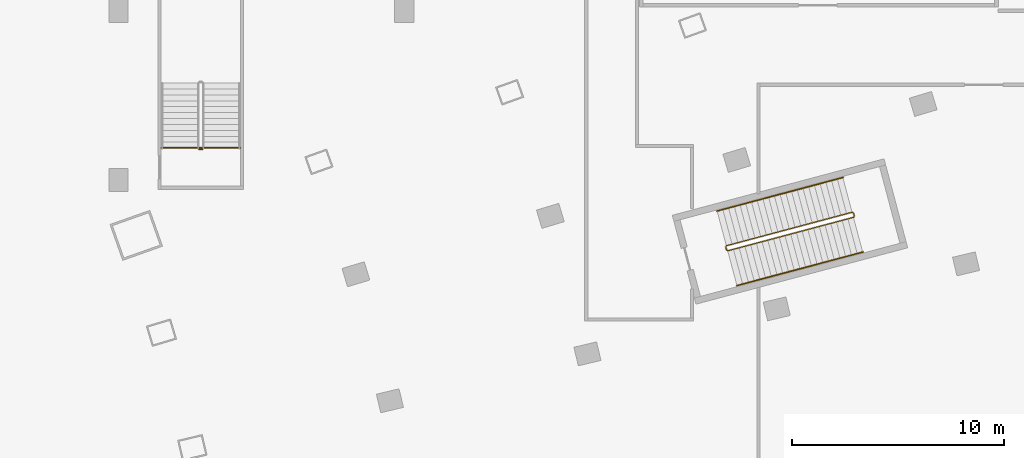
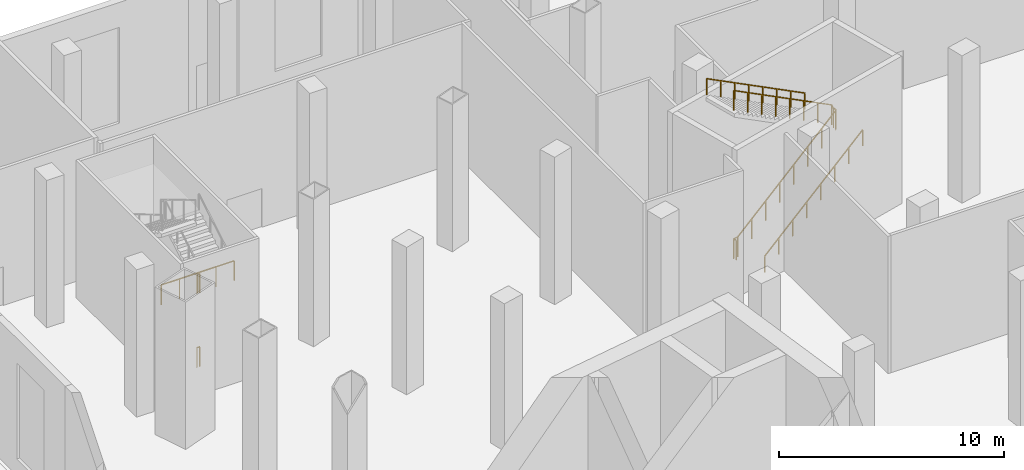
# One storey, part 29 of 33: 6 railings.
"""IFC4 building model written with IfcOpenShell, lengths in metres."""

from ifc_helpers import new_model, si_unit, direction, frame, origin, origin_2d, place, context, subcontext, project, spatial, rectangle, extrude, material, type_object, element, save


model = new_model("IFC4")

# Units and contexts
model_context = context("Model", 3, precision=1e-05, world=origin(), true_north=direction((0.0, 1.0)))
body_context = subcontext(model_context, "Body", "Model", "MODEL_VIEW")
ifc_project = project(units=[si_unit("LENGTHUNIT", "METRE"), si_unit("AREAUNIT", "SQUARE_METRE"), si_unit("VOLUMEUNIT", "CUBIC_METRE"), si_unit("PLANEANGLEUNIT", "RADIAN"), si_unit("MASSUNIT", "GRAM", prefix="KILO")], contexts=[model_context])

# Site, building, storey
site_placement = place(None, origin())
site = spatial("IfcSite", under=ifc_project, at=site_placement, CompositionType="ELEMENT")
building_placement = place(site_placement, origin())
building = spatial("IfcBuilding", under=site, at=building_placement, Name="Alderwake Tower", CompositionType="ELEMENT")
storey_placement = place(building_placement, origin())
storey = spatial("IfcBuildingStorey", under=building, at=storey_placement, Name="L00", CompositionType="ELEMENT", Elevation=0.0)

# Railings
ifc_material_1 = material(Name="Stainless steel guard", Category="steel")
railing_type_1 = type_object("IfcRailingType", Name="Stair guard 1100", PredefinedType="GUARDRAIL", material=ifc_material_1)
railing_1_placement = place(storey_placement, frame((39.23291015625, 92.6806640625, 0.0)))
element("IfcRailing", 1, at=railing_1_placement, inside=storey, type_object=railing_type_1, Name="L00 ST-A stair guard 1", PredefinedType="GUARDRAIL", context=body_context, shape_type="SweptSolid", body=[
    extrude(rectangle(XDim=0.048095703125, YDim=0.048095703125, at=origin_2d()), frame((0.0, 0.0, 1.076171875), z_axis=(-0.257055032184, 0.966396766566, 0.0), x_axis=(-0.966396766566, -0.257055032184, 0.0)), (0.0, 0.0, 1.0), 0.150146484375),
    extrude(rectangle(XDim=0.048095703125, YDim=0.048095703125, at=origin_2d()), frame((-0.03857421875, 0.14501953125, 1.076171875), z_axis=(0.370238703974, -0.668964308647, 0.64452312281), x_axis=(0.874937996095, 0.484234966715, 0.0)), (0.0, 0.0, 1.0), 0.269775390625),
    extrude(rectangle(XDim=0.048095703125, YDim=0.048095703125, at=origin_2d()), frame((0.061279296875, -0.035400390625, 1.25), z_axis=(0.820850103471, 0.218637487057, 0.52763885081), x_axis=(-0.257381421089, 0.966309890293, 0.0)), (0.0, 0.0, 1.0), 7.25146484375),
    extrude(rectangle(XDim=0.048095703125, YDim=0.048095703125, at=origin_2d()), frame((6.013671875, 1.550048828125, 5.076171875), z_axis=(0.500220121494, 0.865898279276, 0.0), x_axis=(-0.865898279276, 0.500220121494, 0.0)), (0.0, 0.0, 1.0), 0.07080078125),
    extrude(rectangle(XDim=0.048095703125, YDim=0.048095703125, at=origin_2d()), frame((6.049072265625, 1.611328125, 5.076171875), z_axis=(-0.257055032184, 0.966396766566, 0.0), x_axis=(-0.966396766566, -0.257055032184, 0.0)), (0.0, 0.0, 1.0), 0.150146484375),
    extrude(rectangle(XDim=0.048095703125, YDim=0.048095703125, at=origin_2d()), frame((6.010498046875, 1.75634765625, 5.076171875), z_axis=(-0.325342993085, 0.18869893599, 0.926576844307), x_axis=(-0.501718089772, -0.865031189262, 0.0)), (0.0, 0.0, 1.0), 0.1875),
    extrude(rectangle(XDim=0.048095703125, YDim=0.048095703125, at=origin_2d()), frame((5.949462890625, 1.791748046875, 5.25), z_axis=(-0.820861085564, -0.218631444904, 0.527624269254), x_axis=(0.25737156414, -0.966312515686, 0.0)), (0.0, 0.0, 1.0), 7.251708984375),
    extrude(rectangle(XDim=0.0419921875, YDim=0.0419921875, at=origin_2d()), frame((0.0, 0.0, 0.0), z_axis=(0.0, 0.0, 1.0), x_axis=(-0.257055032184, 0.966396766566, 0.0)), (0.0, 0.0, 1.0), 1.052001953125),
    extrude(rectangle(XDim=0.0419921875, YDim=0.0419921875, at=origin_2d()), frame((-0.03857421875, 0.14501953125, 0.0), z_axis=(0.0, 0.0, 1.0), x_axis=(0.484234966715, -0.874937996095, 0.0)), (0.0, 0.0, 1.0), 1.052001953125),
    extrude(rectangle(XDim=0.0419921875, YDim=0.0419921875, at=origin_2d()), frame((0.061279296875, -0.035400390625, 0.173828125), z_axis=(0.0, 0.0, 1.0), x_axis=(0.966309890293, 0.257381421089, 0.0)), (0.0, 0.0, 1.0), 1.052001953125),
    extrude(rectangle(XDim=0.0419921875, YDim=0.0419921875, at=origin_2d()), frame((0.91162109375, 0.191162109375, 0.720458984375), z_axis=(0.0, 0.0, 1.0), x_axis=(0.966309890293, 0.257381421089, 0.0)), (0.0, 0.0, 1.0), 1.052001953125),
    extrude(rectangle(XDim=0.0419921875, YDim=0.0419921875, at=origin_2d()), frame((1.761962890625, 0.41748046875, 1.26708984375), z_axis=(0.0, 0.0, 1.0), x_axis=(0.966309890293, 0.257381421089, 0.0)), (0.0, 0.0, 1.0), 1.052001953125),
    extrude(rectangle(XDim=0.0419921875, YDim=0.0419921875, at=origin_2d()), frame((2.6123046875, 0.64404296875, 1.813720703125), z_axis=(0.0, 0.0, 1.0), x_axis=(0.966309890293, 0.257381421089, 0.0)), (0.0, 0.0, 1.0), 1.052001953125),
    extrude(rectangle(XDim=0.0419921875, YDim=0.0419921875, at=origin_2d()), frame((3.462646484375, 0.87060546875, 2.360107421875), z_axis=(0.0, 0.0, 1.0), x_axis=(0.966309890293, 0.257381421089, 0.0)), (0.0, 0.0, 1.0), 1.052001953125),
    extrude(rectangle(XDim=0.0419921875, YDim=0.0419921875, at=origin_2d()), frame((4.31298828125, 1.09716796875, 2.90673828125), z_axis=(0.0, 0.0, 1.0), x_axis=(0.966309890293, 0.257381421089, 0.0)), (0.0, 0.0, 1.0), 1.052001953125),
    extrude(rectangle(XDim=0.0419921875, YDim=0.0419921875, at=origin_2d()), frame((5.163330078125, 1.323486328125, 3.453369140625), z_axis=(0.0, 0.0, 1.0), x_axis=(0.966309890293, 0.257381421089, 0.0)), (0.0, 0.0, 1.0), 1.052001953125),
    extrude(rectangle(XDim=0.0419921875, YDim=0.0419921875, at=origin_2d()), frame((6.013671875, 1.550048828125, 4.0), z_axis=(0.0, 0.0, 1.0), x_axis=(0.500220121494, 0.865898279276, 0.0)), (0.0, 0.0, 1.0), 1.052001953125),
    extrude(rectangle(XDim=0.0419921875, YDim=0.0419921875, at=origin_2d()), frame((6.049072265625, 1.611328125, 4.0), z_axis=(0.0, 0.0, 1.0), x_axis=(-0.257055032184, 0.966396766566, 0.0)), (0.0, 0.0, 1.0), 1.052001953125),
    extrude(rectangle(XDim=0.0419921875, YDim=0.0419921875, at=origin_2d()), frame((6.010498046875, 1.75634765625, 4.0), z_axis=(0.0, 0.0, 1.0), x_axis=(-0.865031189262, 0.501718089772, 0.0)), (0.0, 0.0, 1.0), 1.052001953125),
    extrude(rectangle(XDim=0.0419921875, YDim=0.0419921875, at=origin_2d()), frame((5.949462890625, 1.791748046875, 4.173828125), z_axis=(0.0, 0.0, 1.0), x_axis=(-0.966312515686, -0.25737156414, 0.0)), (0.0, 0.0, 1.0), 1.052001953125),
    extrude(rectangle(XDim=0.0419921875, YDim=0.0419921875, at=origin_2d()), frame((5.09912109375, 1.565185546875, 4.720458984375), z_axis=(0.0, 0.0, 1.0), x_axis=(-0.966312515686, -0.25737156414, 0.0)), (0.0, 0.0, 1.0), 1.052001953125),
    extrude(rectangle(XDim=0.0419921875, YDim=0.0419921875, at=origin_2d()), frame((4.248779296875, 1.3388671875, 5.26708984375), z_axis=(0.0, 0.0, 1.0), x_axis=(-0.966312515686, -0.25737156414, 0.0)), (0.0, 0.0, 1.0), 1.052001953125),
    extrude(rectangle(XDim=0.0419921875, YDim=0.0419921875, at=origin_2d()), frame((3.3984375, 1.1123046875, 5.813720703125), z_axis=(0.0, 0.0, 1.0), x_axis=(-0.966312515686, -0.25737156414, 0.0)), (0.0, 0.0, 1.0), 1.052001953125),
    extrude(rectangle(XDim=0.0419921875, YDim=0.0419921875, at=origin_2d()), frame((2.5478515625, 0.8857421875, 6.360107421875), z_axis=(0.0, 0.0, 1.0), x_axis=(-0.966312515686, -0.25737156414, 0.0)), (0.0, 0.0, 1.0), 1.052001953125),
    extrude(rectangle(XDim=0.0419921875, YDim=0.0419921875, at=origin_2d()), frame((1.697509765625, 0.6591796875, 6.90673828125), z_axis=(0.0, 0.0, 1.0), x_axis=(-0.966312515686, -0.25737156414, 0.0)), (0.0, 0.0, 1.0), 1.052001953125),
    extrude(rectangle(XDim=0.0419921875, YDim=0.0419921875, at=origin_2d()), frame((0.84716796875, 0.432861328125, 7.453369140625), z_axis=(0.0, 0.0, 1.0), x_axis=(-0.966312515686, -0.25737156414, 0.0)), (0.0, 0.0, 1.0), 1.052001953125),
    extrude(rectangle(XDim=0.0419921875, YDim=0.0419921875, at=origin_2d()), frame((-0.003173828125, 0.206298828125, 8.0), z_axis=(0.0, 0.0, 1.0), x_axis=(-0.966312515686, -0.25737156414, 0.0)), (0.0, 0.0, 1.0), 1.052001953125),
])
for number, where, name in (
    (2, (14.449951171875, 97.449951171875, 4.0), "L00 ST-P2 stair guard 4"),
    (3, (14.449951171875, 97.449951171875, 0.0), "L00 ST-P2 stair guard 8"),
):
    element("IfcRailing", number, at=place(storey_placement, frame(where)), inside=storey, type_object=railing_type_1, Name=name, PredefinedType="GUARDRAIL", context=body_context, shape_type="SweptSolid", body=[
        extrude(rectangle(XDim=0.048095703125, YDim=0.048095703125, at=origin_2d()), frame((0.0, 0.0, 1.076171875), z_axis=(-1.0, 0.0, 0.0), x_axis=(0.0, -1.0, 0.0)), (0.0, 0.0, 1.0), 0.14990234375),
        extrude(rectangle(XDim=0.0419921875, YDim=0.0419921875, at=origin_2d()), frame((0.0, 0.0, 0.0), z_axis=(0.0, 0.0, 1.0), x_axis=(-1.0, 0.0, 0.0)), (0.0, 0.0, 1.0), 1.052001953125),
        extrude(rectangle(XDim=0.0419921875, YDim=0.0419921875, at=origin_2d()), frame((-0.14990234375, 0.0, 0.0), z_axis=(0.0, 0.0, 1.0), x_axis=(-1.0, 0.0, 0.0)), (0.0, 0.0, 1.0), 1.052001953125),
    ])
railing_2_placement = place(storey_placement, frame((16.25, 97.510009765625, 4.0)))
element("IfcRailing", 4, at=railing_2_placement, inside=storey, type_object=railing_type_1, Name="L00 landing guard ST-P2.L2", PredefinedType="GUARDRAIL", context=body_context, shape_type="SweptSolid", body=[
    extrude(rectangle(XDim=0.048095703125, YDim=0.048095703125, at=origin_2d()), frame((0.0, 0.0, 1.076171875), z_axis=(-1.0, 0.0, 0.0), x_axis=(0.0, -1.0, 0.0)), (0.0, 0.0, 1.0), 3.75),
    extrude(rectangle(XDim=0.0419921875, YDim=0.0419921875, at=origin_2d()), frame((0.0, 0.0, 0.0), z_axis=(0.0, 0.0, 1.0), x_axis=(-1.0, 0.0, 0.0)), (0.0, 0.0, 1.0), 1.052001953125),
    extrude(rectangle(XDim=0.0419921875, YDim=0.0419921875, at=origin_2d()), frame((-0.9375, 0.0, 0.0), z_axis=(0.0, 0.0, 1.0), x_axis=(-1.0, 0.0, 0.0)), (0.0, 0.0, 1.0), 1.052001953125),
    extrude(rectangle(XDim=0.0419921875, YDim=0.0419921875, at=origin_2d()), frame((-1.875, 0.0, 0.0), z_axis=(0.0, 0.0, 1.0), x_axis=(-1.0, 0.0, 0.0)), (0.0, 0.0, 1.0), 1.052001953125),
    extrude(rectangle(XDim=0.0419921875, YDim=0.0419921875, at=origin_2d()), frame((-2.8125, 0.0, 0.0), z_axis=(0.0, 0.0, 1.0), x_axis=(-1.0, 0.0, 0.0)), (0.0, 0.0, 1.0), 1.052001953125),
    extrude(rectangle(XDim=0.0419921875, YDim=0.0419921875, at=origin_2d()), frame((-3.75, 0.0, 0.0), z_axis=(0.0, 0.0, 1.0), x_axis=(-1.0, 0.0, 0.0)), (0.0, 0.0, 1.0), 1.052001953125),
])
ifc_material_2 = material(Name="Stainless steel handrail", Category="steel")
railing_type_2 = type_object("IfcRailingType", Name="Stair handrail 900", PredefinedType="HANDRAIL", material=ifc_material_2)
railing_3_placement = place(storey_placement, frame((39.731689453125, 91.002685546875, 0.173828125)))
element("IfcRailing", 5, at=railing_3_placement, inside=storey, type_object=railing_type_2, Name="L00 ST-A stair handrail 1", PredefinedType="HANDRAIL", context=body_context, shape_type="SweptSolid", body=[
    extrude(rectangle(XDim=0.048095703125, YDim=0.048095703125, at=origin_2d()), frame((0.0, 0.0, 0.8759765625), z_axis=(0.820850103471, 0.218637487057, 0.52763885081), x_axis=(-0.257381421089, 0.966309890293, 0.0)), (0.0, 0.0, 1.0), 7.25146484375),
    extrude(rectangle(XDim=0.0419921875, YDim=0.0419921875, at=origin_2d()), frame((0.0, 0.0, 0.0), z_axis=(0.0, 0.0, 1.0), x_axis=(0.966309890293, 0.257381421089, 0.0)), (0.0, 0.0, 1.0), 0.851806640625),
    extrude(rectangle(XDim=0.0419921875, YDim=0.0419921875, at=origin_2d()), frame((0.850341796875, 0.2265625, 0.546630859375), z_axis=(0.0, 0.0, 1.0), x_axis=(0.966309890293, 0.257381421089, 0.0)), (0.0, 0.0, 1.0), 0.851806640625),
    extrude(rectangle(XDim=0.0419921875, YDim=0.0419921875, at=origin_2d()), frame((1.70068359375, 0.452880859375, 1.09326171875), z_axis=(0.0, 0.0, 1.0), x_axis=(0.966309890293, 0.257381421089, 0.0)), (0.0, 0.0, 1.0), 0.851806640625),
    extrude(rectangle(XDim=0.0419921875, YDim=0.0419921875, at=origin_2d()), frame((2.551025390625, 0.679443359375, 1.639892578125), z_axis=(0.0, 0.0, 1.0), x_axis=(0.966309890293, 0.257381421089, 0.0)), (0.0, 0.0, 1.0), 0.851806640625),
    extrude(rectangle(XDim=0.0419921875, YDim=0.0419921875, at=origin_2d()), frame((3.4013671875, 0.906005859375, 2.186279296875), z_axis=(0.0, 0.0, 1.0), x_axis=(0.966309890293, 0.257381421089, 0.0)), (0.0, 0.0, 1.0), 0.851806640625),
    extrude(rectangle(XDim=0.0419921875, YDim=0.0419921875, at=origin_2d()), frame((4.251708984375, 1.132568359375, 2.73291015625), z_axis=(0.0, 0.0, 1.0), x_axis=(0.966309890293, 0.257381421089, 0.0)), (0.0, 0.0, 1.0), 0.851806640625),
    extrude(rectangle(XDim=0.0419921875, YDim=0.0419921875, at=origin_2d()), frame((5.10205078125, 1.35888671875, 3.279541015625), z_axis=(0.0, 0.0, 1.0), x_axis=(0.966309890293, 0.257381421089, 0.0)), (0.0, 0.0, 1.0), 0.851806640625),
    extrude(rectangle(XDim=0.0419921875, YDim=0.0419921875, at=origin_2d()), frame((5.952392578125, 1.58544921875, 3.826171875), z_axis=(0.0, 0.0, 1.0), x_axis=(0.966309890293, 0.257381421089, 0.0)), (0.0, 0.0, 1.0), 0.851806640625),
])
railing_4_placement = place(storey_placement, frame((44.74462890625, 96.114990234375, 4.173828125)))
element("IfcRailing", 6, at=railing_4_placement, inside=storey, type_object=railing_type_2, Name="L00 ST-A stair handrail 2", PredefinedType="HANDRAIL", context=body_context, shape_type="SweptSolid", body=[
    extrude(rectangle(XDim=0.048095703125, YDim=0.048095703125, at=origin_2d()), frame((0.0, 0.0, 0.8759765625), z_axis=(-0.820850103471, -0.218637487057, 0.52763885081), x_axis=(0.257381421089, -0.966309890293, 0.0)), (0.0, 0.0, 1.0), 7.25146484375),
    extrude(rectangle(XDim=0.0419921875, YDim=0.0419921875, at=origin_2d()), frame((0.0, 0.0, 0.0), z_axis=(0.0, 0.0, 1.0), x_axis=(-0.966309890293, -0.257381421089, 0.0)), (0.0, 0.0, 1.0), 0.851806640625),
    extrude(rectangle(XDim=0.0419921875, YDim=0.0419921875, at=origin_2d()), frame((-0.850341796875, -0.2265625, 0.546630859375), z_axis=(0.0, 0.0, 1.0), x_axis=(-0.966309890293, -0.257381421089, 0.0)), (0.0, 0.0, 1.0), 0.851806640625),
    extrude(rectangle(XDim=0.0419921875, YDim=0.0419921875, at=origin_2d()), frame((-1.70068359375, -0.452880859375, 1.09326171875), z_axis=(0.0, 0.0, 1.0), x_axis=(-0.966309890293, -0.257381421089, 0.0)), (0.0, 0.0, 1.0), 0.851806640625),
    extrude(rectangle(XDim=0.0419921875, YDim=0.0419921875, at=origin_2d()), frame((-2.551025390625, -0.679443359375, 1.639892578125), z_axis=(0.0, 0.0, 1.0), x_axis=(-0.966309890293, -0.257381421089, 0.0)), (0.0, 0.0, 1.0), 0.851806640625),
    extrude(rectangle(XDim=0.0419921875, YDim=0.0419921875, at=origin_2d()), frame((-3.4013671875, -0.906005859375, 2.186279296875), z_axis=(0.0, 0.0, 1.0), x_axis=(-0.966309890293, -0.257381421089, 0.0)), (0.0, 0.0, 1.0), 0.851806640625),
    extrude(rectangle(XDim=0.0419921875, YDim=0.0419921875, at=origin_2d()), frame((-4.251708984375, -1.132568359375, 2.73291015625), z_axis=(0.0, 0.0, 1.0), x_axis=(-0.966309890293, -0.257381421089, 0.0)), (0.0, 0.0, 1.0), 0.851806640625),
    extrude(rectangle(XDim=0.0419921875, YDim=0.0419921875, at=origin_2d()), frame((-5.10205078125, -1.35888671875, 3.279541015625), z_axis=(0.0, 0.0, 1.0), x_axis=(-0.966309890293, -0.257381421089, 0.0)), (0.0, 0.0, 1.0), 0.851806640625),
    extrude(rectangle(XDim=0.0419921875, YDim=0.0419921875, at=origin_2d()), frame((-5.952392578125, -1.58544921875, 3.826171875), z_axis=(0.0, 0.0, 1.0), x_axis=(-0.966309890293, -0.257381421089, 0.0)), (0.0, 0.0, 1.0), 0.851806640625),
])

save(model, "model.ifc")
